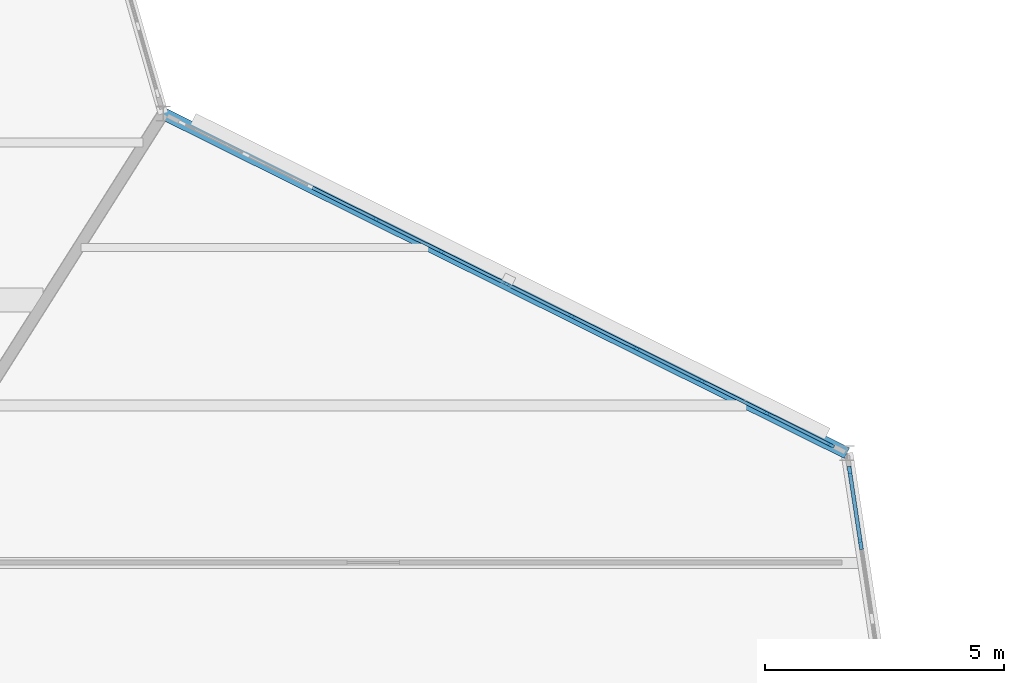
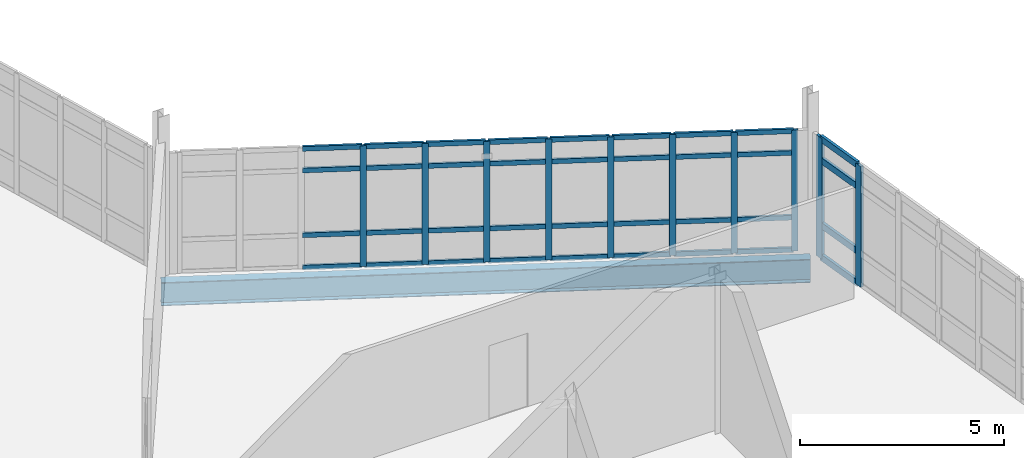
# One storey, part 58 of 134: 46 members, 1 beam, 2 elements without a shape of their own.
"""IFC4 building model written with IfcOpenShell, lengths in metres."""

from ifc_helpers import new_model, si_unit, direction, frame, origin, origin_2d, place, context, subcontext, project, spatial, rectangle, i_section, extrude, material, material_profile, profile_set, type_object, element, aggregate, save


model = new_model("IFC4")

# Units and contexts
model_context = context("Model", 3, precision=1e-05, world=origin(), true_north=direction((0.0, 1.0)))
body_context = subcontext(model_context, "Body", "Model", "MODEL_VIEW")
ifc_project = project(units=[si_unit("LENGTHUNIT", "METRE"), si_unit("AREAUNIT", "SQUARE_METRE"), si_unit("VOLUMEUNIT", "CUBIC_METRE"), si_unit("PLANEANGLEUNIT", "RADIAN"), si_unit("MASSUNIT", "GRAM", prefix="KILO")], contexts=[model_context])

# Site, building, storey
site_placement = place(None, origin())
site = spatial("IfcSite", under=ifc_project, at=site_placement, CompositionType="ELEMENT")
building_placement = place(site_placement, origin())
building = spatial("IfcBuilding", under=site, at=building_placement, Name="Tameran Prism Museum", CompositionType="ELEMENT")
storey_placement = place(building_placement, frame((0.0, 0.0, 5.39990234375)))
storey = spatial("IfcBuildingStorey", under=building, at=storey_placement, Name="L01", CompositionType="ELEMENT", Elevation=5.39990234375)

# Beam
ifc_material_1 = material(Name="Steel Grade 350 (350 MPa)", Category="steel")
ifc_material_profile_1 = material_profile(ifc_material_1, i_section(OverallWidth=0.25, OverallDepth=0.699951171875, WebThickness=0.010009765625, FlangeThickness=0.02001953125, at=origin_2d()))
ifc_profile_set_1 = profile_set([ifc_material_profile_1])
beam_type = type_object("IfcBeamType", Name="BM-SP700", PredefinedType="SPANDREL", material=ifc_profile_set_1)
beam_placement = place(storey_placement, frame((74.800048828125, 66.10009765625, -0.5498046875), z_axis=(-0.89568063561, 0.444697873835, 0.0), x_axis=(-0.444697873835, -0.89568063561, 0.0)))
element("IfcBeam", 1, at=beam_placement, inside=storey, type_object=beam_type, Name="Perimeter Spandrel SP-0358", PredefinedType="SPANDREL", context=body_context, shape_type="SweptSolid", body=[
    extrude(i_section(OverallWidth=0.25, OverallDepth=0.699951171875, WebThickness=0.010009765625, FlangeThickness=0.02001953125, at=origin_2d()), origin(), (0.0, 0.0, 1.0), 15.965576171875),
])

# Curtain wall, members
ifc_material_2 = material(Name="Anodised Aluminium 6063-T6 and Cyclone Solar Glass", Category="aluminium")
curtain_wall_type_1 = type_object("IfcCurtainWallType", Name="CW-FAC-1520x362", PredefinedType="USERDEFINED", material=ifc_material_2)
curtain_wall_1_placement = place(storey_placement, origin())
curtain_wall_1 = element("IfcCurtainWall", 2, at=curtain_wall_1_placement, inside=storey, type_object=curtain_wall_type_1, Name="Unitised Curtain Wall CW-071", ObjectType="UNITISED CURTAIN WALL", PredefinedType="USERDEFINED")
ifc_material_3 = material(Name="Anodised Aluminium Alloy 6063-T6", Category="aluminium")
ifc_material_profile_2 = material_profile(ifc_material_3, rectangle(XDim=0.06494140625, YDim=0.159912109375, at=origin_2d()))
ifc_profile_set_2 = profile_set([ifc_material_profile_2])
member_type_1 = type_object("IfcMemberType", Name="CW-MUL-A", PredefinedType="MULLION", material=ifc_profile_set_2)
member_1_placement = place(storey_placement, frame((64.952880859375, 70.98876953125, 0.0), z_axis=(0.0, 0.0, 1.0), x_axis=(0.444633769593, 0.895712459966, 0.0)))
member_1 = element("IfcMember", 3, at=member_1_placement, type_object=member_type_1, Name="CW-071 mullion 4", PredefinedType="MULLION", context=body_context, shape_type="SweptSolid", body=[
    extrude(rectangle(XDim=0.06494140625, YDim=0.159912109375, at=origin_2d()), origin(), (0.0, 0.0, 1.0), 3.6201171875),
])
member_2_placement = place(storey_placement, frame((66.31494140625, 70.3125, 0.0), z_axis=(0.0, 0.0, 1.0), x_axis=(0.444633769593, 0.895712459966, 0.0)))
member_2 = element("IfcMember", 4, at=member_2_placement, type_object=member_type_1, Name="CW-071 mullion 5", PredefinedType="MULLION", context=body_context, shape_type="SweptSolid", body=[
    extrude(rectangle(XDim=0.06494140625, YDim=0.159912109375, at=origin_2d()), origin(), (0.0, 0.0, 1.0), 3.6201171875),
])
member_3_placement = place(storey_placement, frame((67.677001953125, 69.636474609375, 0.0), z_axis=(0.0, 0.0, 1.0), x_axis=(0.444633769593, 0.895712459966, 0.0)))
member_3 = element("IfcMember", 5, at=member_3_placement, type_object=member_type_1, Name="CW-071 mullion 6", PredefinedType="MULLION", context=body_context, shape_type="SweptSolid", body=[
    extrude(rectangle(XDim=0.06494140625, YDim=0.159912109375, at=origin_2d()), origin(), (0.0, 0.0, 1.0), 3.6201171875),
])
member_4_placement = place(storey_placement, frame((69.0390625, 68.96044921875, 0.0), z_axis=(0.0, 0.0, 1.0), x_axis=(0.444633769593, 0.895712459966, 0.0)))
member_4 = element("IfcMember", 6, at=member_4_placement, type_object=member_type_1, Name="CW-071 mullion 7", PredefinedType="MULLION", context=body_context, shape_type="SweptSolid", body=[
    extrude(rectangle(XDim=0.06494140625, YDim=0.159912109375, at=origin_2d()), origin(), (0.0, 0.0, 1.0), 3.6201171875),
])
member_5_placement = place(storey_placement, frame((70.40087890625, 68.2841796875, 0.0), z_axis=(0.0, 0.0, 1.0), x_axis=(0.444633769593, 0.895712459966, 0.0)))
member_5 = element("IfcMember", 7, at=member_5_placement, type_object=member_type_1, Name="CW-071 mullion 8", PredefinedType="MULLION", context=body_context, shape_type="SweptSolid", body=[
    extrude(rectangle(XDim=0.06494140625, YDim=0.159912109375, at=origin_2d()), origin(), (0.0, 0.0, 1.0), 3.6201171875),
])
member_6_placement = place(storey_placement, frame((71.762939453125, 67.608154296875, 0.0), z_axis=(0.0, 0.0, 1.0), x_axis=(0.444633769593, 0.895712459966, 0.0)))
member_6 = element("IfcMember", 8, at=member_6_placement, type_object=member_type_1, Name="CW-071 mullion 9", PredefinedType="MULLION", context=body_context, shape_type="SweptSolid", body=[
    extrude(rectangle(XDim=0.06494140625, YDim=0.159912109375, at=origin_2d()), origin(), (0.0, 0.0, 1.0), 3.6201171875),
])
member_7_placement = place(storey_placement, frame((73.125, 66.93212890625, 0.0), z_axis=(0.0, 0.0, 1.0), x_axis=(0.444633769593, 0.895712459966, 0.0)))
member_7 = element("IfcMember", 9, at=member_7_placement, type_object=member_type_1, Name="CW-071 mullion 10", PredefinedType="MULLION", context=body_context, shape_type="SweptSolid", body=[
    extrude(rectangle(XDim=0.06494140625, YDim=0.159912109375, at=origin_2d()), origin(), (0.0, 0.0, 1.0), 3.6201171875),
])
member_8_placement = place(storey_placement, frame((74.4580078125, 66.2705078125, 0.0), z_axis=(0.0, 0.0, 1.0), x_axis=(0.444633769593, 0.895712459966, 0.0)))
member_8 = element("IfcMember", 10, at=member_8_placement, type_object=member_type_1, Name="CW-071 mullion 11", PredefinedType="MULLION", context=body_context, shape_type="SweptSolid", body=[
    extrude(rectangle(XDim=0.06494140625, YDim=0.159912109375, at=origin_2d()), origin(), (0.0, 0.0, 1.0), 3.6201171875),
])

ifc_material_4 = material(Name="Anodised Aluminium 6063-T6 and Cyclone Solar Glass", Category="aluminium")
curtain_wall_type_2 = type_object("IfcCurtainWallType", Name="CW-FAC-1734x362", PredefinedType="USERDEFINED", material=ifc_material_4)
curtain_wall_2_placement = place(storey_placement, origin())
curtain_wall_2 = element("IfcCurtainWall", 11, at=curtain_wall_2_placement, inside=storey, type_object=curtain_wall_type_2, Name="Unitised Curtain Wall CW-070", ObjectType="UNITISED CURTAIN WALL", PredefinedType="USERDEFINED")
ifc_material_5 = material(Name="Anodised Aluminium Alloy 6063-T6", Category="aluminium")
ifc_material_profile_3 = material_profile(ifc_material_5, rectangle(XDim=0.080078125, YDim=0.219970703125, at=origin_2d()))
ifc_profile_set_3 = profile_set([ifc_material_profile_3])
member_type_2 = type_object("IfcMemberType", Name="CW-MUL-D", PredefinedType="MULLION", material=ifc_profile_set_3)
member_9_placement = place(storey_placement, frame((74.85791015625, 65.71435546875, 0.0), z_axis=(0.0, 0.0, 1.0), x_axis=(0.988812088052, 0.149166532852, 0.0)))
member_9 = element("IfcMember", 12, at=member_9_placement, type_object=member_type_2, Name="CW-070 mullion 1", PredefinedType="MULLION", context=body_context, shape_type="SweptSolid", body=[
    extrude(rectangle(XDim=0.080078125, YDim=0.219970703125, at=origin_2d()), origin(), (0.0, 0.0, 1.0), 3.6201171875),
])
member_10_placement = place(storey_placement, frame((75.087158203125, 64.195068359375, 0.0), z_axis=(0.0, 0.0, 1.0), x_axis=(0.988812088052, 0.149166532852, 0.0)))
member_10 = element("IfcMember", 13, at=member_10_placement, type_object=member_type_2, Name="CW-070 mullion 2", PredefinedType="MULLION", context=body_context, shape_type="SweptSolid", body=[
    extrude(rectangle(XDim=0.080078125, YDim=0.219970703125, at=origin_2d()), origin(), (0.0, 0.0, 1.0), 3.6201171875),
])

# Member
ifc_material_6 = material(Name="Anodised Aluminium Alloy 6063-T6", Category="aluminium")
ifc_material_profile_4 = material_profile(ifc_material_6, rectangle(XDim=0.06494140625, YDim=0.139892578125, at=origin_2d()))
ifc_profile_set_4 = profile_set([ifc_material_profile_4])
member_type_3 = type_object("IfcMemberType", Name="CW-TRN-A", PredefinedType="USERDEFINED", material=ifc_profile_set_4)
member_11_placement = place(storey_placement, frame((63.6201171875, 71.650390625, 0.03271484375), z_axis=(0.895698333913, -0.444662225319, 0.0), x_axis=(0.444662225319, 0.895698333913, 0.0)))
member_11 = element("IfcMember", 14, at=member_11_placement, type_object=member_type_3, Name="CW-071 transom 3.1", ObjectType="TRANSOM", PredefinedType="USERDEFINED", context=body_context, shape_type="SweptSolid", body=[
    extrude(rectangle(XDim=0.06494140625, YDim=0.139892578125, at=origin_2d()), origin(), (0.0, 0.0, 1.0), 1.45556640625),
])

member_12_placement = place(storey_placement, frame((63.6201171875, 71.650390625, 1.0), z_axis=(0.895698333913, -0.444662225319, 0.0), x_axis=(0.444662225319, 0.895698333913, 0.0)))
member_12 = element("IfcMember", 15, at=member_12_placement, type_object=member_type_3, Name="CW-071 transom 3.2", ObjectType="TRANSOM", PredefinedType="USERDEFINED", context=body_context, shape_type="SweptSolid", body=[
    extrude(rectangle(XDim=0.06494140625, YDim=0.139892578125, at=origin_2d()), origin(), (0.0, 0.0, 1.0), 1.45556640625),
])

member_13_placement = place(storey_placement, frame((63.6201171875, 71.650390625, 2.940185546875), z_axis=(0.895698333913, -0.444662225319, 0.0), x_axis=(0.444662225319, 0.895698333913, 0.0)))
member_13 = element("IfcMember", 16, at=member_13_placement, type_object=member_type_3, Name="CW-071 transom 3.3", ObjectType="TRANSOM", PredefinedType="USERDEFINED", context=body_context, shape_type="SweptSolid", body=[
    extrude(rectangle(XDim=0.06494140625, YDim=0.139892578125, at=origin_2d()), origin(), (0.0, 0.0, 1.0), 1.45556640625),
])

member_14_placement = place(storey_placement, frame((63.6201171875, 71.650390625, 3.587646484375), z_axis=(0.895698333913, -0.444662225319, 0.0), x_axis=(0.444662225319, 0.895698333913, 0.0)))
member_14 = element("IfcMember", 17, at=member_14_placement, type_object=member_type_3, Name="CW-071 transom 3.4", ObjectType="TRANSOM", PredefinedType="USERDEFINED", context=body_context, shape_type="SweptSolid", body=[
    extrude(rectangle(XDim=0.06494140625, YDim=0.139892578125, at=origin_2d()), origin(), (0.0, 0.0, 1.0), 1.45556640625),
])

member_15_placement = place(storey_placement, frame((64.982177734375, 70.974365234375, 0.03271484375), z_axis=(0.895698333913, -0.444662225319, 0.0), x_axis=(0.444662225319, 0.895698333913, 0.0)))
member_15 = element("IfcMember", 18, at=member_15_placement, type_object=member_type_3, Name="CW-071 transom 4.1", ObjectType="TRANSOM", PredefinedType="USERDEFINED", context=body_context, shape_type="SweptSolid", body=[
    extrude(rectangle(XDim=0.06494140625, YDim=0.139892578125, at=origin_2d()), origin(), (0.0, 0.0, 1.0), 1.45556640625),
])

member_16_placement = place(storey_placement, frame((64.982177734375, 70.974365234375, 1.0), z_axis=(0.895698333913, -0.444662225319, 0.0), x_axis=(0.444662225319, 0.895698333913, 0.0)))
member_16 = element("IfcMember", 19, at=member_16_placement, type_object=member_type_3, Name="CW-071 transom 4.2", ObjectType="TRANSOM", PredefinedType="USERDEFINED", context=body_context, shape_type="SweptSolid", body=[
    extrude(rectangle(XDim=0.06494140625, YDim=0.139892578125, at=origin_2d()), origin(), (0.0, 0.0, 1.0), 1.45556640625),
])

member_17_placement = place(storey_placement, frame((64.982177734375, 70.974365234375, 2.940185546875), z_axis=(0.895698333913, -0.444662225319, 0.0), x_axis=(0.444662225319, 0.895698333913, 0.0)))
member_17 = element("IfcMember", 20, at=member_17_placement, type_object=member_type_3, Name="CW-071 transom 4.3", ObjectType="TRANSOM", PredefinedType="USERDEFINED", context=body_context, shape_type="SweptSolid", body=[
    extrude(rectangle(XDim=0.06494140625, YDim=0.139892578125, at=origin_2d()), origin(), (0.0, 0.0, 1.0), 1.45556640625),
])

member_18_placement = place(storey_placement, frame((64.982177734375, 70.974365234375, 3.587646484375), z_axis=(0.895698333913, -0.444662225319, 0.0), x_axis=(0.444662225319, 0.895698333913, 0.0)))
member_18 = element("IfcMember", 21, at=member_18_placement, type_object=member_type_3, Name="CW-071 transom 4.4", ObjectType="TRANSOM", PredefinedType="USERDEFINED", context=body_context, shape_type="SweptSolid", body=[
    extrude(rectangle(XDim=0.06494140625, YDim=0.139892578125, at=origin_2d()), origin(), (0.0, 0.0, 1.0), 1.45556640625),
])

member_19_placement = place(storey_placement, frame((66.343994140625, 70.298095703125, 0.03271484375), z_axis=(0.895731491515, -0.444595428573, 0.0), x_axis=(0.444595428573, 0.895731491515, 0.0)))
member_19 = element("IfcMember", 22, at=member_19_placement, type_object=member_type_3, Name="CW-071 transom 5.1", ObjectType="TRANSOM", PredefinedType="USERDEFINED", context=body_context, shape_type="SweptSolid", body=[
    extrude(rectangle(XDim=0.06494140625, YDim=0.139892578125, at=origin_2d()), origin(), (0.0, 0.0, 1.0), 1.455810546875),
])

member_20_placement = place(storey_placement, frame((66.343994140625, 70.298095703125, 1.0), z_axis=(0.895731491515, -0.444595428573, 0.0), x_axis=(0.444595428573, 0.895731491515, 0.0)))
member_20 = element("IfcMember", 23, at=member_20_placement, type_object=member_type_3, Name="CW-071 transom 5.2", ObjectType="TRANSOM", PredefinedType="USERDEFINED", context=body_context, shape_type="SweptSolid", body=[
    extrude(rectangle(XDim=0.06494140625, YDim=0.139892578125, at=origin_2d()), origin(), (0.0, 0.0, 1.0), 1.455810546875),
])

member_21_placement = place(storey_placement, frame((66.343994140625, 70.298095703125, 2.940185546875), z_axis=(0.895731491515, -0.444595428573, 0.0), x_axis=(0.444595428573, 0.895731491515, 0.0)))
member_21 = element("IfcMember", 24, at=member_21_placement, type_object=member_type_3, Name="CW-071 transom 5.3", ObjectType="TRANSOM", PredefinedType="USERDEFINED", context=body_context, shape_type="SweptSolid", body=[
    extrude(rectangle(XDim=0.06494140625, YDim=0.139892578125, at=origin_2d()), origin(), (0.0, 0.0, 1.0), 1.455810546875),
])

member_22_placement = place(storey_placement, frame((66.343994140625, 70.298095703125, 3.587646484375), z_axis=(0.895731491515, -0.444595428573, 0.0), x_axis=(0.444595428573, 0.895731491515, 0.0)))
member_22 = element("IfcMember", 25, at=member_22_placement, type_object=member_type_3, Name="CW-071 transom 5.4", ObjectType="TRANSOM", PredefinedType="USERDEFINED", context=body_context, shape_type="SweptSolid", body=[
    extrude(rectangle(XDim=0.06494140625, YDim=0.139892578125, at=origin_2d()), origin(), (0.0, 0.0, 1.0), 1.455810546875),
])

member_23_placement = place(storey_placement, frame((67.7060546875, 69.6220703125, 0.03271484375), z_axis=(0.895731491515, -0.444595428573, 0.0), x_axis=(0.444595428573, 0.895731491515, 0.0)))
member_23 = element("IfcMember", 26, at=member_23_placement, type_object=member_type_3, Name="CW-071 transom 6.1", ObjectType="TRANSOM", PredefinedType="USERDEFINED", context=body_context, shape_type="SweptSolid", body=[
    extrude(rectangle(XDim=0.06494140625, YDim=0.139892578125, at=origin_2d()), origin(), (0.0, 0.0, 1.0), 1.455810546875),
])

member_24_placement = place(storey_placement, frame((67.7060546875, 69.6220703125, 1.0), z_axis=(0.895731491515, -0.444595428573, 0.0), x_axis=(0.444595428573, 0.895731491515, 0.0)))
member_24 = element("IfcMember", 27, at=member_24_placement, type_object=member_type_3, Name="CW-071 transom 6.2", ObjectType="TRANSOM", PredefinedType="USERDEFINED", context=body_context, shape_type="SweptSolid", body=[
    extrude(rectangle(XDim=0.06494140625, YDim=0.139892578125, at=origin_2d()), origin(), (0.0, 0.0, 1.0), 1.455810546875),
])

member_25_placement = place(storey_placement, frame((67.7060546875, 69.6220703125, 2.940185546875), z_axis=(0.895731491515, -0.444595428573, 0.0), x_axis=(0.444595428573, 0.895731491515, 0.0)))
member_25 = element("IfcMember", 28, at=member_25_placement, type_object=member_type_3, Name="CW-071 transom 6.3", ObjectType="TRANSOM", PredefinedType="USERDEFINED", context=body_context, shape_type="SweptSolid", body=[
    extrude(rectangle(XDim=0.06494140625, YDim=0.139892578125, at=origin_2d()), origin(), (0.0, 0.0, 1.0), 1.455810546875),
])

member_26_placement = place(storey_placement, frame((67.7060546875, 69.6220703125, 3.587646484375), z_axis=(0.895731491515, -0.444595428573, 0.0), x_axis=(0.444595428573, 0.895731491515, 0.0)))
member_26 = element("IfcMember", 29, at=member_26_placement, type_object=member_type_3, Name="CW-071 transom 6.4", ObjectType="TRANSOM", PredefinedType="USERDEFINED", context=body_context, shape_type="SweptSolid", body=[
    extrude(rectangle(XDim=0.06494140625, YDim=0.139892578125, at=origin_2d()), origin(), (0.0, 0.0, 1.0), 1.455810546875),
])

member_27_placement = place(storey_placement, frame((69.068115234375, 68.946044921875, 0.03271484375), z_axis=(0.895698333913, -0.444662225319, 0.0), x_axis=(0.444662225319, 0.895698333913, 0.0)))
member_27 = element("IfcMember", 30, at=member_27_placement, type_object=member_type_3, Name="CW-071 transom 7.1", ObjectType="TRANSOM", PredefinedType="USERDEFINED", context=body_context, shape_type="SweptSolid", body=[
    extrude(rectangle(XDim=0.06494140625, YDim=0.139892578125, at=origin_2d()), origin(), (0.0, 0.0, 1.0), 1.45556640625),
])

member_28_placement = place(storey_placement, frame((69.068115234375, 68.946044921875, 1.0), z_axis=(0.895698333913, -0.444662225319, 0.0), x_axis=(0.444662225319, 0.895698333913, 0.0)))
member_28 = element("IfcMember", 31, at=member_28_placement, type_object=member_type_3, Name="CW-071 transom 7.2", ObjectType="TRANSOM", PredefinedType="USERDEFINED", context=body_context, shape_type="SweptSolid", body=[
    extrude(rectangle(XDim=0.06494140625, YDim=0.139892578125, at=origin_2d()), origin(), (0.0, 0.0, 1.0), 1.45556640625),
])

member_29_placement = place(storey_placement, frame((69.068115234375, 68.946044921875, 2.940185546875), z_axis=(0.895698333913, -0.444662225319, 0.0), x_axis=(0.444662225319, 0.895698333913, 0.0)))
member_29 = element("IfcMember", 32, at=member_29_placement, type_object=member_type_3, Name="CW-071 transom 7.3", ObjectType="TRANSOM", PredefinedType="USERDEFINED", context=body_context, shape_type="SweptSolid", body=[
    extrude(rectangle(XDim=0.06494140625, YDim=0.139892578125, at=origin_2d()), origin(), (0.0, 0.0, 1.0), 1.45556640625),
])

member_30_placement = place(storey_placement, frame((69.068115234375, 68.946044921875, 3.587646484375), z_axis=(0.895698333913, -0.444662225319, 0.0), x_axis=(0.444662225319, 0.895698333913, 0.0)))
member_30 = element("IfcMember", 33, at=member_30_placement, type_object=member_type_3, Name="CW-071 transom 7.4", ObjectType="TRANSOM", PredefinedType="USERDEFINED", context=body_context, shape_type="SweptSolid", body=[
    extrude(rectangle(XDim=0.06494140625, YDim=0.139892578125, at=origin_2d()), origin(), (0.0, 0.0, 1.0), 1.45556640625),
])

member_31_placement = place(storey_placement, frame((70.43017578125, 68.269775390625, 0.03271484375), z_axis=(0.895698333913, -0.444662225319, 0.0), x_axis=(0.444662225319, 0.895698333913, 0.0)))
member_31 = element("IfcMember", 34, at=member_31_placement, type_object=member_type_3, Name="CW-071 transom 8.1", ObjectType="TRANSOM", PredefinedType="USERDEFINED", context=body_context, shape_type="SweptSolid", body=[
    extrude(rectangle(XDim=0.06494140625, YDim=0.139892578125, at=origin_2d()), origin(), (0.0, 0.0, 1.0), 1.45556640625),
])

member_32_placement = place(storey_placement, frame((70.43017578125, 68.269775390625, 1.0), z_axis=(0.895698333913, -0.444662225319, 0.0), x_axis=(0.444662225319, 0.895698333913, 0.0)))
member_32 = element("IfcMember", 35, at=member_32_placement, type_object=member_type_3, Name="CW-071 transom 8.2", ObjectType="TRANSOM", PredefinedType="USERDEFINED", context=body_context, shape_type="SweptSolid", body=[
    extrude(rectangle(XDim=0.06494140625, YDim=0.139892578125, at=origin_2d()), origin(), (0.0, 0.0, 1.0), 1.45556640625),
])

member_33_placement = place(storey_placement, frame((70.43017578125, 68.269775390625, 2.940185546875), z_axis=(0.895698333913, -0.444662225319, 0.0), x_axis=(0.444662225319, 0.895698333913, 0.0)))
member_33 = element("IfcMember", 36, at=member_33_placement, type_object=member_type_3, Name="CW-071 transom 8.3", ObjectType="TRANSOM", PredefinedType="USERDEFINED", context=body_context, shape_type="SweptSolid", body=[
    extrude(rectangle(XDim=0.06494140625, YDim=0.139892578125, at=origin_2d()), origin(), (0.0, 0.0, 1.0), 1.45556640625),
])

member_34_placement = place(storey_placement, frame((70.43017578125, 68.269775390625, 3.587646484375), z_axis=(0.895698333913, -0.444662225319, 0.0), x_axis=(0.444662225319, 0.895698333913, 0.0)))
member_34 = element("IfcMember", 37, at=member_34_placement, type_object=member_type_3, Name="CW-071 transom 8.4", ObjectType="TRANSOM", PredefinedType="USERDEFINED", context=body_context, shape_type="SweptSolid", body=[
    extrude(rectangle(XDim=0.06494140625, YDim=0.139892578125, at=origin_2d()), origin(), (0.0, 0.0, 1.0), 1.45556640625),
])

member_35_placement = place(storey_placement, frame((71.7919921875, 67.59375, 0.03271484375), z_axis=(0.895731491515, -0.444595428573, 0.0), x_axis=(0.444595428573, 0.895731491515, 0.0)))
member_35 = element("IfcMember", 38, at=member_35_placement, type_object=member_type_3, Name="CW-071 transom 9.1", ObjectType="TRANSOM", PredefinedType="USERDEFINED", context=body_context, shape_type="SweptSolid", body=[
    extrude(rectangle(XDim=0.06494140625, YDim=0.139892578125, at=origin_2d()), origin(), (0.0, 0.0, 1.0), 1.455810546875),
])

member_36_placement = place(storey_placement, frame((71.7919921875, 67.59375, 1.0), z_axis=(0.895731491515, -0.444595428573, 0.0), x_axis=(0.444595428573, 0.895731491515, 0.0)))
member_36 = element("IfcMember", 39, at=member_36_placement, type_object=member_type_3, Name="CW-071 transom 9.2", ObjectType="TRANSOM", PredefinedType="USERDEFINED", context=body_context, shape_type="SweptSolid", body=[
    extrude(rectangle(XDim=0.06494140625, YDim=0.139892578125, at=origin_2d()), origin(), (0.0, 0.0, 1.0), 1.455810546875),
])

member_37_placement = place(storey_placement, frame((71.7919921875, 67.59375, 2.940185546875), z_axis=(0.895731491515, -0.444595428573, 0.0), x_axis=(0.444595428573, 0.895731491515, 0.0)))
member_37 = element("IfcMember", 40, at=member_37_placement, type_object=member_type_3, Name="CW-071 transom 9.3", ObjectType="TRANSOM", PredefinedType="USERDEFINED", context=body_context, shape_type="SweptSolid", body=[
    extrude(rectangle(XDim=0.06494140625, YDim=0.139892578125, at=origin_2d()), origin(), (0.0, 0.0, 1.0), 1.455810546875),
])

member_38_placement = place(storey_placement, frame((71.7919921875, 67.59375, 3.587646484375), z_axis=(0.895731491515, -0.444595428573, 0.0), x_axis=(0.444595428573, 0.895731491515, 0.0)))
member_38 = element("IfcMember", 41, at=member_38_placement, type_object=member_type_3, Name="CW-071 transom 9.4", ObjectType="TRANSOM", PredefinedType="USERDEFINED", context=body_context, shape_type="SweptSolid", body=[
    extrude(rectangle(XDim=0.06494140625, YDim=0.139892578125, at=origin_2d()), origin(), (0.0, 0.0, 1.0), 1.455810546875),
])

member_39_placement = place(storey_placement, frame((73.154052734375, 66.917724609375, 0.03271484375), z_axis=(0.895693100503, -0.444672766999, 0.0), x_axis=(0.444672766999, 0.895693100503, 0.0)))
member_39 = element("IfcMember", 42, at=member_39_placement, type_object=member_type_3, Name="CW-071 transom 10.1", ObjectType="TRANSOM", PredefinedType="USERDEFINED", context=body_context, shape_type="SweptSolid", body=[
    extrude(rectangle(XDim=0.06494140625, YDim=0.139892578125, at=origin_2d()), origin(), (0.0, 0.0, 1.0), 1.423095703125),
])

member_40_placement = place(storey_placement, frame((73.154052734375, 66.917724609375, 1.0), z_axis=(0.895693100503, -0.444672766999, 0.0), x_axis=(0.444672766999, 0.895693100503, 0.0)))
member_40 = element("IfcMember", 43, at=member_40_placement, type_object=member_type_3, Name="CW-071 transom 10.2", ObjectType="TRANSOM", PredefinedType="USERDEFINED", context=body_context, shape_type="SweptSolid", body=[
    extrude(rectangle(XDim=0.06494140625, YDim=0.139892578125, at=origin_2d()), origin(), (0.0, 0.0, 1.0), 1.423095703125),
])

member_41_placement = place(storey_placement, frame((73.154052734375, 66.917724609375, 2.940185546875), z_axis=(0.895693100503, -0.444672766999, 0.0), x_axis=(0.444672766999, 0.895693100503, 0.0)))
member_41 = element("IfcMember", 44, at=member_41_placement, type_object=member_type_3, Name="CW-071 transom 10.3", ObjectType="TRANSOM", PredefinedType="USERDEFINED", context=body_context, shape_type="SweptSolid", body=[
    extrude(rectangle(XDim=0.06494140625, YDim=0.139892578125, at=origin_2d()), origin(), (0.0, 0.0, 1.0), 1.423095703125),
])

member_42_placement = place(storey_placement, frame((73.154052734375, 66.917724609375, 3.587646484375), z_axis=(0.895693100503, -0.444672766999, 0.0), x_axis=(0.444672766999, 0.895693100503, 0.0)))
member_42 = element("IfcMember", 45, at=member_42_placement, type_object=member_type_3, Name="CW-071 transom 10.4", ObjectType="TRANSOM", PredefinedType="USERDEFINED", context=body_context, shape_type="SweptSolid", body=[
    extrude(rectangle(XDim=0.06494140625, YDim=0.139892578125, at=origin_2d()), origin(), (0.0, 0.0, 1.0), 1.423095703125),
])

aggregate(curtain_wall_1, [member_1, member_2, member_3, member_4, member_5, member_6, member_7, member_8, member_11, member_12, member_13, member_14, member_15, member_16, member_17, member_18, member_19, member_20, member_21, member_22, member_23, member_24, member_25, member_26, member_27, member_28, member_29, member_30, member_31, member_32, member_33, member_34, member_35, member_36, member_37, member_38, member_39, member_40, member_41, member_42])

ifc_material_7 = material(Name="Anodised Aluminium Alloy 6063-T6", Category="aluminium")
ifc_material_profile_5 = material_profile(ifc_material_7, rectangle(XDim=0.080078125, YDim=0.195068359375, at=origin_2d()))
ifc_profile_set_5 = profile_set([ifc_material_profile_5])
member_type_4 = type_object("IfcMemberType", Name="CW-TRN-D", PredefinedType="USERDEFINED", material=ifc_profile_set_5)
member_43_placement = place(storey_placement, frame((74.864013671875, 65.6748046875, 0.0400390625), z_axis=(0.149184662506, -0.988809352946, 0.0), x_axis=(0.988809352946, 0.149184662506, 0.0)))
member_43 = element("IfcMember", 46, at=member_43_placement, type_object=member_type_4, Name="CW-070 transom 1.1", ObjectType="TRANSOM", PredefinedType="USERDEFINED", context=body_context, shape_type="SweptSolid", body=[
    extrude(rectangle(XDim=0.080078125, YDim=0.195068359375, at=origin_2d()), origin(), (0.0, 0.0, 1.0), 1.45654296875),
])

member_44_placement = place(storey_placement, frame((74.864013671875, 65.6748046875, 1.0), z_axis=(0.149184662506, -0.988809352946, 0.0), x_axis=(0.988809352946, 0.149184662506, 0.0)))
member_44 = element("IfcMember", 47, at=member_44_placement, type_object=member_type_4, Name="CW-070 transom 1.2", ObjectType="TRANSOM", PredefinedType="USERDEFINED", context=body_context, shape_type="SweptSolid", body=[
    extrude(rectangle(XDim=0.080078125, YDim=0.195068359375, at=origin_2d()), origin(), (0.0, 0.0, 1.0), 1.45654296875),
])

member_45_placement = place(storey_placement, frame((74.864013671875, 65.6748046875, 2.940185546875), z_axis=(0.149184662506, -0.988809352946, 0.0), x_axis=(0.988809352946, 0.149184662506, 0.0)))
member_45 = element("IfcMember", 48, at=member_45_placement, type_object=member_type_4, Name="CW-070 transom 1.3", ObjectType="TRANSOM", PredefinedType="USERDEFINED", context=body_context, shape_type="SweptSolid", body=[
    extrude(rectangle(XDim=0.080078125, YDim=0.195068359375, at=origin_2d()), origin(), (0.0, 0.0, 1.0), 1.45654296875),
])

member_46_placement = place(storey_placement, frame((74.864013671875, 65.6748046875, 3.580078125), z_axis=(0.149184662506, -0.988809352946, 0.0), x_axis=(0.988809352946, 0.149184662506, 0.0)))
member_46 = element("IfcMember", 49, at=member_46_placement, type_object=member_type_4, Name="CW-070 transom 1.4", ObjectType="TRANSOM", PredefinedType="USERDEFINED", context=body_context, shape_type="SweptSolid", body=[
    extrude(rectangle(XDim=0.080078125, YDim=0.195068359375, at=origin_2d()), origin(), (0.0, 0.0, 1.0), 1.45654296875),
])

aggregate(curtain_wall_2, [member_9, member_10, member_43, member_44, member_45, member_46])

save(model, "model.ifc")
